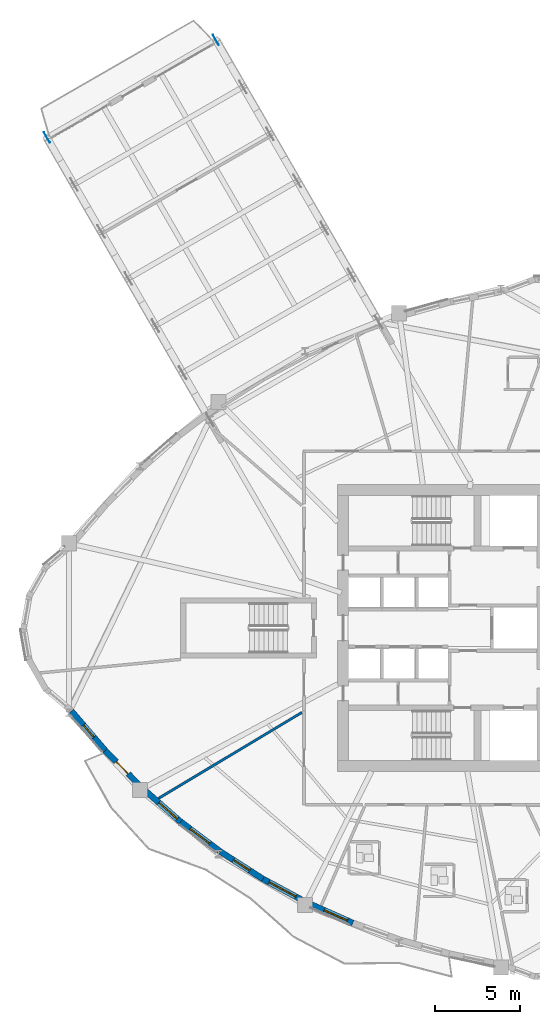
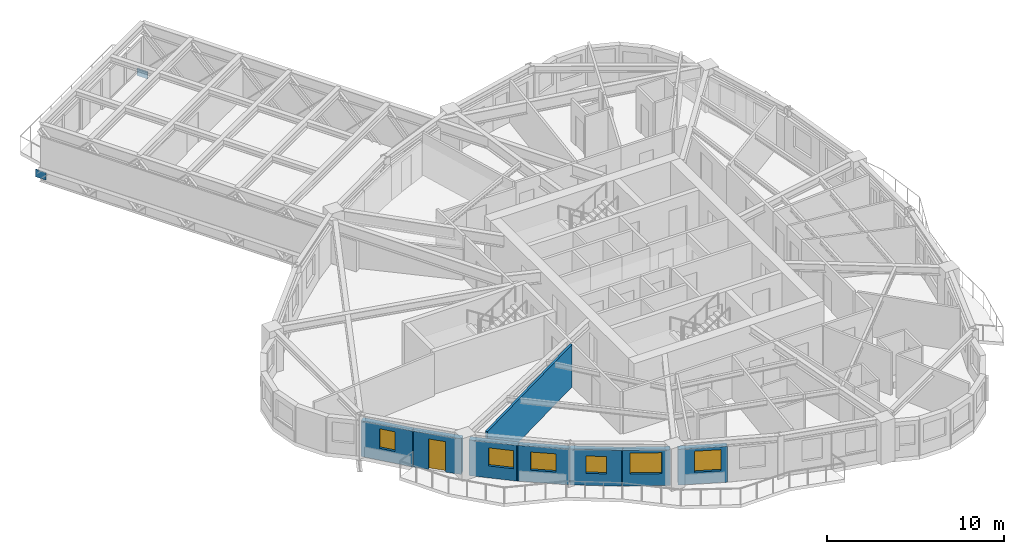
# One storey, part 5 of 16: 8 walls, 6 windows, 2 plates, 1 door, 7 openings.
"""IFC4 building model written with IfcOpenShell, lengths in metres."""

from ifc_helpers import new_model, si_unit, direction, frame, frame_2d, origin, origin_2d, place, context, subcontext, project, spatial, rectangle, extrude, source, transform, mapped, material, layer, layer_set, type_object, element, fill, save


model = new_model("IFC4")

# Units and contexts
model_context = context("Model", 3, precision=1e-05, world=origin(), true_north=direction((0.0, 1.0)))
body_context = subcontext(model_context, "Body", "Model", "MODEL_VIEW")
ifc_project = project(units=[si_unit("LENGTHUNIT", "METRE"), si_unit("AREAUNIT", "SQUARE_METRE"), si_unit("VOLUMEUNIT", "CUBIC_METRE"), si_unit("PLANEANGLEUNIT", "RADIAN"), si_unit("MASSUNIT", "GRAM", prefix="KILO")], contexts=[model_context])

# Site, building, storey
site_placement = place(None, origin())
site = spatial("IfcSite", under=ifc_project, at=site_placement, CompositionType="ELEMENT")
building_placement = place(site_placement, origin())
building = spatial("IfcBuilding", under=site, at=building_placement, Name="Qafzar Sky-Pleat Residences", CompositionType="ELEMENT")
storey_placement = place(building_placement, frame((0.0, 0.0, 80.0)))
storey = spatial("IfcBuildingStorey", under=building, at=storey_placement, Name="L23", CompositionType="ELEMENT", Elevation=80.0)

# Plates
ifc_material_1 = material(Name="Steel S355", Category="steel")
ifc_layer_1 = layer(ifc_material_1, 0.030029296875)
ifc_layer_set_1 = layer_set([ifc_layer_1], Name="Steel S355")
plate_type = type_object("IfcPlateType", Name="PLT-NODE-SBN2", PredefinedType="SHEET", material=ifc_layer_set_1)
shared_shape_1 = source(origin(), body_context, "Body", "SweptSolid", [
    extrude(rectangle(XDim=0.699951171875, YDim=0.030029296875, at=origin_2d()), origin(), (0.0, 0.0, 1.0), 0.52001953125),
])
for number, where, z_axis, x_axis, name in (
    (1, (7.0087890625, 54.927978515625, -0.925048828125), (0.0, 0.0, 1.0), (-0.5, 0.866025403784, 0.0), "SB-2 Truss Node Plate L6"),
    (2, (16.968017578125, 60.677978515625, -0.925048828125), (0.0, 0.0, 1.0), (-0.5, 0.866025403784, 0.0), "SB-2 Truss Node Plate R6"),
):
    element("IfcPlate", number, at=place(storey_placement, frame(where, z_axis=z_axis, x_axis=x_axis)), inside=storey, type_object=plate_type, Name=name, PredefinedType="SHEET", context=body_context, shape_type="MappedRepresentation", body=[
        mapped(shared_shape_1, transform((0.0, 0.0, 0.0), x_axis=(1.0, 0.0, 0.0), y_axis=(0.0, 1.0, 0.0), z_axis=(0.0, 0.0, 1.0), scale=1.0)),
    ])

# Wall
ifc_material_2 = material(Name="Acoustic gypsum plasterboard partition", Category="gypsum")
ifc_layer_2 = layer(ifc_material_2, 0.14501953125)
ifc_layer_set_2 = layer_set([ifc_layer_2], Name="Acoustic gypsum plasterboard partition")
wall_type_1 = type_object("IfcWallType", Name="PART-UNIT-145", PredefinedType="PARTITIONING", material=ifc_layer_set_2)
wall_1_placement = place(storey_placement, frame((13.601318359375, 15.95849609375, 0.0), z_axis=(0.0, 0.0, 1.0), x_axis=(0.857661345212, 0.514214952066, 0.0)))
element("IfcWall", 3, at=wall_1_placement, inside=storey, type_object=wall_type_1, Name="L23 Partition Wall PART-L23-PW-025", PredefinedType="PARTITIONING", context=body_context, shape_type="SweptSolid", body=[
    extrude(rectangle(XDim=9.845947265625, YDim=0.14501953125, at=frame_2d((4.9228515625, 0.0))), origin(), (0.0, 0.0, 1.0), 2.93505859375),
])

# Wall, opening, window
ifc_material_3 = material(Name="Precast concrete C40/50 with honed Riyadh limestone", Category="concrete")
ifc_layer_3 = layer(ifc_material_3, 0.35009765625)
ifc_layer_set_3 = layer_set([ifc_layer_3], Name="Precast concrete C40/50 with honed Riyadh limestone")
wall_type_2 = type_object("IfcWallType", Name="WALL-EXT-350", PredefinedType="SOLIDWALL", material=ifc_layer_set_3)
wall_2_placement = place(storey_placement, frame((8.456298828125, 21.102294921875, 0.0), z_axis=(0.0, 0.0, 1.0), x_axis=(0.650733809993, -0.759305938692, 0.0)))
wall_2 = element("IfcWall", 4, at=wall_2_placement, inside=storey, type_object=wall_type_2, Name="L23 Limestone Facade Wall 7", PredefinedType="SOLIDWALL", context=body_context, shape_type="SweptSolid", body=[
    extrude(rectangle(XDim=3.1435546875, YDim=0.35009765625, at=frame_2d((1.57177734375, 0.0))), origin(), (0.0, 0.0, 1.0), 2.465087890625),
])
opening_1_placement = place(wall_2_placement, frame((1.0869140625, 0.0, 0.820068359375)))
opening_1 = element("IfcOpeningElement", 5, at=opening_1_placement, cuts=wall_2, Name="Opening WN-12", PredefinedType="OPENING", context=body_context, shape_type="SweptSolid", body=[
    extrude(rectangle(XDim=0.949951171875, YDim=1.35009765625, at=frame_2d((0.47509765625, 0.675048828125))), frame((0.0, 0.18505859375, 0.0), z_axis=(0.0, -1.0, 0.0), x_axis=(1.0, 0.0, 0.0)), (0.0, 0.0, 1.0), 0.3701171875),
])
ifc_material_4 = material(Name="Solar-control low-E glass in bronze aluminium frame", Category="glass")
window_type_1 = type_object("IfcWindowType", Name="WIN-12", PartitioningType="SINGLE_PANEL", PredefinedType="WINDOW", material=ifc_material_4)
shared_shape_2 = source(origin(), body_context, "Body", "SweptSolid", [
    extrude(rectangle(XDim=0.949951171875, YDim=1.35009765625, at=frame_2d((0.47509765625, 0.675048828125))), frame((0.0, 0.030029296875, 0.0), z_axis=(0.0, -1.0, 0.0), x_axis=(1.0, 0.0, 0.0)), (0.0, 0.0, 1.0), 0.06005859375),
])
window_1_placement = place(opening_1_placement, origin())
window_1 = element("IfcWindow", 6, at=window_1_placement, inside=storey, type_object=window_type_1, Name="L23 Punched Facade Window 07", OverallHeight=1.35009765625, OverallWidth=0.949951171875, PartitioningType="SINGLE_PANEL", PredefinedType="WINDOW", context=body_context, shape_type="MappedRepresentation", body=[
    mapped(shared_shape_2, transform((0.0, 0.0, 0.0), x_axis=(1.0, 0.0, 0.0), y_axis=(0.0, 1.0, 0.0), z_axis=(0.0, 0.0, 1.0), scale=1.0)),
])
fill(opening_1, window_1)

# Wall, opening, door
wall_3_placement = place(storey_placement, frame((10.4423828125, 18.7802734375, 0.0), z_axis=(0.0, 0.0, 1.0), x_axis=(0.7019473345, -0.712228853381, 0.0)))
wall_3 = element("IfcWall", 7, at=wall_3_placement, inside=storey, type_object=wall_type_2, Name="L23 Limestone Facade Wall 8", PredefinedType="SOLIDWALL", context=body_context, shape_type="SweptSolid", body=[
    extrude(rectangle(XDim=2.873291015625, YDim=0.35009765625, at=frame_2d((1.4365234375, 0.0))), origin(), (0.0, 0.0, 1.0), 2.465087890625),
])
opening_2_placement = place(wall_3_placement, frame((0.9365234375, 0.0, 0.0)))
opening_2 = element("IfcOpeningElement", 8, at=opening_2_placement, cuts=wall_3, Name="Opening ED-05", PredefinedType="OPENING", context=body_context, shape_type="SweptSolid", body=[
    extrude(rectangle(XDim=1.0, YDim=2.10009765625, at=frame_2d((0.5, 1.050048828125))), frame((0.0, 0.18505859375, 0.0), z_axis=(0.0, -1.0, 0.0), x_axis=(1.0, 0.0, 0.0)), (0.0, 0.0, 1.0), 0.3701171875),
])
ifc_material_5 = material(Name="Glazed bronze aluminium door", Category="aluminium")
door_type = type_object("IfcDoorType", Name="DR-BAL-1000", OperationType="NOTDEFINED", PredefinedType="DOOR", material=ifc_material_5)
shared_shape_3 = source(origin(), body_context, "Body", "SweptSolid", [
    extrude(rectangle(XDim=1.0, YDim=2.10009765625, at=frame_2d((0.5, 1.050048828125))), frame((0.0, 0.02490234375, 0.0), z_axis=(0.0, -1.0, 0.0), x_axis=(1.0, 0.0, 0.0)), (0.0, 0.0, 1.0), 0.050048828125),
])
door_placement = place(opening_2_placement, origin())
door = element("IfcDoor", 9, at=door_placement, inside=storey, type_object=door_type, Name="L23 Glazed Balcony Door 2", OperationType="SINGLE_SWING_LEFT", OverallHeight=2.10009765625, OverallWidth=1.0, PredefinedType="DOOR", context=body_context, shape_type="MappedRepresentation", body=[
    mapped(shared_shape_3, transform((0.0, 0.0, 0.0), x_axis=(1.0, 0.0, 0.0), y_axis=(0.0, 1.0, 0.0), z_axis=(0.0, 0.0, 1.0), scale=1.0)),
])
fill(opening_2, door)

# Wall, opening, window
wall_4_placement = place(storey_placement, frame((12.777099609375, 16.433837890625, 0.0), z_axis=(0.0, 0.0, 1.0), x_axis=(0.751531192513, -0.659697556976, 0.0)))
wall_4 = element("IfcWall", 10, at=wall_4_placement, inside=storey, type_object=wall_type_2, Name="L23 Limestone Facade Wall 9", PredefinedType="SOLIDWALL", context=body_context, shape_type="SweptSolid", body=[
    extrude(rectangle(XDim=2.8232421875, YDim=0.35009765625, at=frame_2d((1.41162109375, 0.0))), origin(), (0.0, 0.0, 1.0), 2.465087890625),
])
opening_3_placement = place(wall_4_placement, frame((1.109619140625, 0.0, 0.820068359375)))
opening_3 = element("IfcOpeningElement", 11, at=opening_3_placement, cuts=wall_4, Name="Opening WN-15", PredefinedType="OPENING", context=body_context, shape_type="SweptSolid", body=[
    extrude(rectangle(XDim=1.449951171875, YDim=1.25, at=frame_2d((0.72509765625, 0.625))), frame((0.0, 0.18505859375, 0.0), z_axis=(0.0, -1.0, 0.0), x_axis=(1.0, 0.0, 0.0)), (0.0, 0.0, 1.0), 0.3701171875),
])
window_type_2 = type_object("IfcWindowType", Name="WIN-15", PartitioningType="SINGLE_PANEL", PredefinedType="WINDOW", material=ifc_material_4)
shared_shape_4 = source(origin(), body_context, "Body", "SweptSolid", [
    extrude(rectangle(XDim=1.449951171875, YDim=1.25, at=frame_2d((0.72509765625, 0.625))), frame((0.0, 0.030029296875, 0.0), z_axis=(0.0, -1.0, 0.0), x_axis=(1.0, 0.0, 0.0)), (0.0, 0.0, 1.0), 0.06005859375),
])
window_2_placement = place(opening_3_placement, origin())
window_2 = element("IfcWindow", 12, at=window_2_placement, inside=storey, type_object=window_type_2, Name="L23 Punched Facade Window 09-2", OverallHeight=1.25, OverallWidth=1.449951171875, PartitioningType="SINGLE_PANEL", PredefinedType="WINDOW", context=body_context, shape_type="MappedRepresentation", body=[
    mapped(shared_shape_4, transform((0.0, 0.0, 0.0), x_axis=(1.0, 0.0, 0.0), y_axis=(0.0, 1.0, 0.0), z_axis=(0.0, 0.0, 1.0), scale=1.0)),
])
fill(opening_3, window_2)

wall_5_placement = place(storey_placement, frame((14.829833984375, 14.62744140625, 0.0), z_axis=(0.0, 0.0, 1.0), x_axis=(0.798382892471, -0.602150111691, 0.0)))
wall_5 = element("IfcWall", 13, at=wall_5_placement, inside=storey, type_object=wall_type_2, Name="L23 Limestone Facade Wall 10", PredefinedType="SOLIDWALL", context=body_context, shape_type="SweptSolid", body=[
    extrude(rectangle(XDim=2.99462890625, YDim=0.35009765625, at=frame_2d((1.497314453125, 0.0))), origin(), (0.0, 0.0, 1.0), 2.465087890625),
])
opening_4_placement = place(wall_5_placement, frame((0.7822265625, 0.0, 0.820068359375)))
opening_4 = element("IfcOpeningElement", 14, at=opening_4_placement, cuts=wall_5, Name="Opening WN-15", PredefinedType="OPENING", context=body_context, shape_type="SweptSolid", body=[
    extrude(rectangle(XDim=1.449951171875, YDim=1.25, at=frame_2d((0.72509765625, 0.625))), frame((0.0, 0.18505859375, 0.0), z_axis=(0.0, -1.0, 0.0), x_axis=(1.0, 0.0, 0.0)), (0.0, 0.0, 1.0), 0.3701171875),
])
window_3_placement = place(opening_4_placement, origin())
window_3 = element("IfcWindow", 15, at=window_3_placement, inside=storey, type_object=window_type_2, Name="L23 Punched Facade Window 10", OverallHeight=1.25, OverallWidth=1.449951171875, PartitioningType="SINGLE_PANEL", PredefinedType="WINDOW", context=body_context, shape_type="MappedRepresentation", body=[
    mapped(shared_shape_4, transform((0.0, 0.0, 0.0), x_axis=(1.0, 0.0, 0.0), y_axis=(0.0, 1.0, 0.0), z_axis=(0.0, 0.0, 1.0), scale=1.0)),
])
fill(opening_4, window_3)

wall_6_placement = place(storey_placement, frame((17.24267578125, 12.80908203125, 0.0), z_axis=(0.0, 0.0, 1.0), x_axis=(0.84150067635, -0.540256061236, 0.0)))
wall_6 = element("IfcWall", 16, at=wall_6_placement, inside=storey, type_object=wall_type_2, Name="L23 Limestone Facade Wall 11", PredefinedType="SOLIDWALL", context=body_context, shape_type="SweptSolid", body=[
    extrude(rectangle(XDim=2.9775390625, YDim=0.35009765625, at=frame_2d((1.48876953125, 0.0))), origin(), (0.0, 0.0, 1.0), 2.465087890625),
])
opening_5_placement = place(wall_6_placement, frame((0.90380859375, 0.0, 0.820068359375)))
opening_5 = element("IfcOpeningElement", 17, at=opening_5_placement, cuts=wall_6, Name="Opening WN-16", PredefinedType="OPENING", context=body_context, shape_type="SweptSolid", body=[
    extrude(rectangle(XDim=1.14990234375, YDim=1.199951171875, at=frame_2d((0.574951171875, 0.60009765625))), frame((0.0, 0.18505859375, 0.0), z_axis=(0.0, -1.0, 0.0), x_axis=(1.0, 0.0, 0.0)), (0.0, 0.0, 1.0), 0.3701171875),
])
window_type_3 = type_object("IfcWindowType", Name="WIN-16", PartitioningType="SINGLE_PANEL", PredefinedType="WINDOW", material=ifc_material_4)
shared_shape_5 = source(origin(), body_context, "Body", "SweptSolid", [
    extrude(rectangle(XDim=1.14990234375, YDim=1.199951171875, at=frame_2d((0.574951171875, 0.60009765625))), frame((0.0, 0.030029296875, 0.0), z_axis=(0.0, -1.0, 0.0), x_axis=(1.0, 0.0, 0.0)), (0.0, 0.0, 1.0), 0.06005859375),
])
window_4_placement = place(opening_5_placement, origin())
window_4 = element("IfcWindow", 18, at=window_4_placement, inside=storey, type_object=window_type_3, Name="L23 Punched Facade Window 11", OverallHeight=1.199951171875, OverallWidth=1.14990234375, PartitioningType="SINGLE_PANEL", PredefinedType="WINDOW", context=body_context, shape_type="MappedRepresentation", body=[
    mapped(shared_shape_5, transform((0.0, 0.0, 0.0), x_axis=(1.0, 0.0, 0.0), y_axis=(0.0, 1.0, 0.0), z_axis=(0.0, 0.0, 1.0), scale=1.0)),
])
fill(opening_5, window_4)

wall_7_placement = place(storey_placement, frame((19.67138671875, 11.245849609375, 0.0), z_axis=(0.0, 0.0, 1.0), x_axis=(0.880120285763, -0.474750758387, 0.0)))
wall_7 = element("IfcWall", 19, at=wall_7_placement, inside=storey, type_object=wall_type_2, Name="L23 Limestone Facade Wall 12", PredefinedType="SOLIDWALL", context=body_context, shape_type="SweptSolid", body=[
    extrude(rectangle(XDim=2.77294921875, YDim=0.35009765625, at=frame_2d((1.386474609375, 0.0))), origin(), (0.0, 0.0, 1.0), 2.465087890625),
])
opening_6_placement = place(wall_7_placement, frame((0.4912109375, 0.0, 0.820068359375)))
opening_6 = element("IfcOpeningElement", 20, at=opening_6_placement, cuts=wall_7, Name="Opening WN-01", PredefinedType="OPENING", context=body_context, shape_type="SweptSolid", body=[
    extrude(rectangle(XDim=1.800048828125, YDim=1.449951171875, at=frame_2d((0.89990234375, 0.72509765625))), frame((0.0, 0.18505859375, 0.0), z_axis=(0.0, -1.0, 0.0), x_axis=(1.0, 0.0, 0.0)), (0.0, 0.0, 1.0), 0.3701171875),
])
window_type_4 = type_object("IfcWindowType", Name="WIN-01", PartitioningType="DOUBLE_PANEL_VERTICAL", PredefinedType="WINDOW", material=ifc_material_4)
shared_shape_6 = source(origin(), body_context, "Body", "SweptSolid", [
    extrude(rectangle(XDim=1.800048828125, YDim=1.449951171875, at=frame_2d((0.89990234375, 0.72509765625))), frame((0.0, 0.030029296875, 0.0), z_axis=(0.0, -1.0, 0.0), x_axis=(1.0, 0.0, 0.0)), (0.0, 0.0, 1.0), 0.06005859375),
])
window_5_placement = place(opening_6_placement, origin())
window_5 = element("IfcWindow", 21, at=window_5_placement, inside=storey, type_object=window_type_4, Name="L23 Punched Facade Window 12", OverallHeight=1.449951171875, OverallWidth=1.800048828125, PartitioningType="SINGLE_PANEL", PredefinedType="WINDOW", context=body_context, shape_type="MappedRepresentation", body=[
    mapped(shared_shape_6, transform((0.0, 0.0, 0.0), x_axis=(1.0, 0.0, 0.0), y_axis=(0.0, 1.0, 0.0), z_axis=(0.0, 0.0, 1.0), scale=1.0)),
])
fill(opening_6, window_5)

wall_8_placement = place(storey_placement, frame((22.50341796875, 9.737060546875, 0.0), z_axis=(0.0, 0.0, 1.0), x_axis=(0.913443049169, -0.406966578388, 0.0)))
wall_8 = element("IfcWall", 22, at=wall_8_placement, inside=storey, type_object=wall_type_2, Name="L23 Limestone Facade Wall 13", PredefinedType="SOLIDWALL", context=body_context, shape_type="SweptSolid", body=[
    extrude(rectangle(XDim=2.78955078125, YDim=0.35009765625, at=frame_2d((1.394775390625, 0.0))), origin(), (0.0, 0.0, 1.0), 2.465087890625),
])
opening_7_placement = place(wall_8_placement, frame((0.93798828125, 0.0, 0.820068359375)))
opening_7 = element("IfcOpeningElement", 23, at=opening_7_placement, cuts=wall_8, Name="Opening WN-03", PredefinedType="OPENING", context=body_context, shape_type="SweptSolid", body=[
    extrude(rectangle(XDim=1.5, YDim=1.449951171875, at=frame_2d((0.75, 0.72509765625))), frame((0.0, 0.18505859375, 0.0), z_axis=(0.0, -1.0, 0.0), x_axis=(1.0, 0.0, 0.0)), (0.0, 0.0, 1.0), 0.3701171875),
])
window_type_5 = type_object("IfcWindowType", Name="WIN-03", PartitioningType="DOUBLE_PANEL_VERTICAL", PredefinedType="WINDOW", material=ifc_material_4)
shared_shape_7 = source(origin(), body_context, "Body", "SweptSolid", [
    extrude(rectangle(XDim=1.5, YDim=1.449951171875, at=frame_2d((0.75, 0.72509765625))), frame((0.0, 0.030029296875, 0.0), z_axis=(0.0, -1.0, 0.0), x_axis=(1.0, 0.0, 0.0)), (0.0, 0.0, 1.0), 0.06005859375),
])
window_6_placement = place(opening_7_placement, origin())
window_6 = element("IfcWindow", 24, at=window_6_placement, inside=storey, type_object=window_type_5, Name="L23 Punched Facade Window 13-2", OverallHeight=1.449951171875, OverallWidth=1.5, PartitioningType="SINGLE_PANEL", PredefinedType="WINDOW", context=body_context, shape_type="MappedRepresentation", body=[
    mapped(shared_shape_7, transform((0.0, 0.0, 0.0), x_axis=(1.0, 0.0, 0.0), y_axis=(0.0, 1.0, 0.0), z_axis=(0.0, 0.0, 1.0), scale=1.0)),
])
fill(opening_7, window_6)

save(model, "model.ifc")
